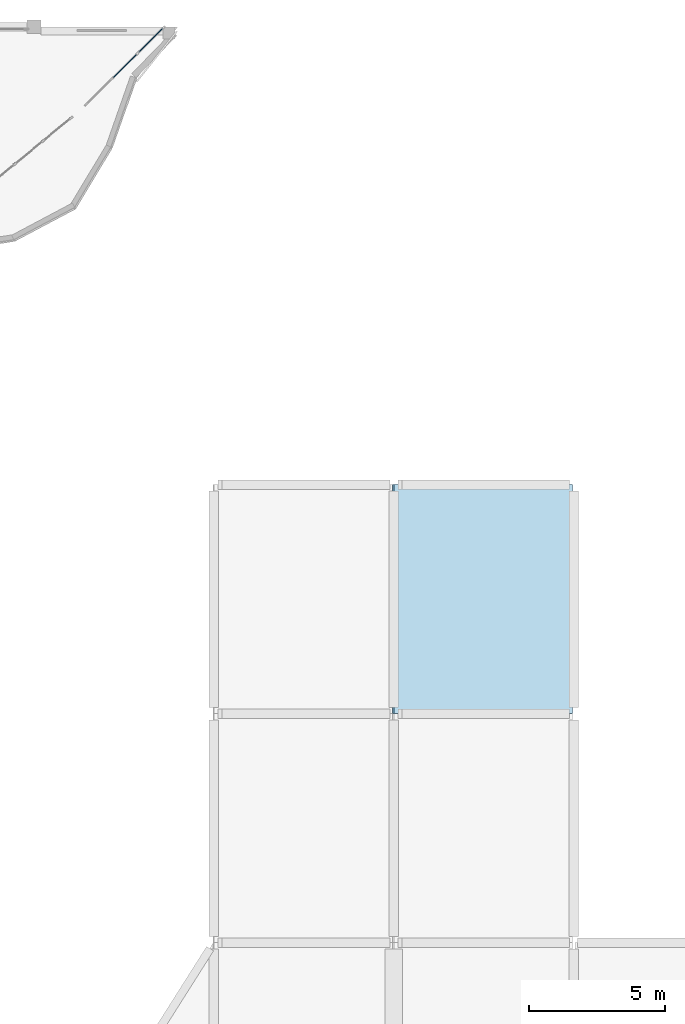
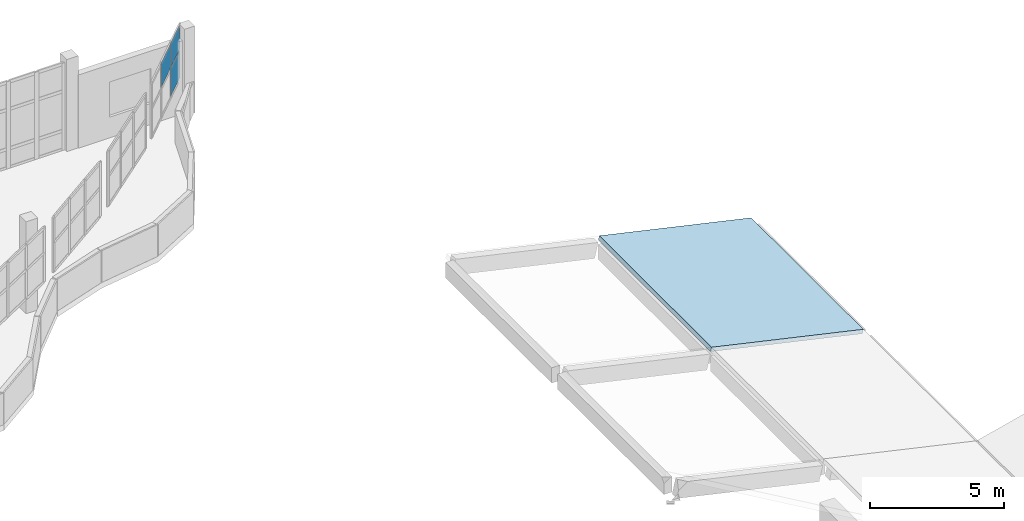
# One storey, part 33 of 47: 3 plates, 1 slab, 1 element without a shape of its own.
"""IFC4 building model written with IfcOpenShell, lengths in metres."""

import ifcopenshell
import ifcopenshell.guid

model = None  # the IFC model being written
_history = None  # IfcOwnerHistory: only IFC2X3 demands one
_inside = {}  # id of a spatial element -> (the spatial element, [elements in it])
_under = {}  # id of a project, library or spatial element -> (it, [spatial elements below it])
_declared = {}  # id of a project -> (the project, [libraries it declares])
_typed = {}  # id of a type object -> (the type object, [elements of that type])
_made_of = {}  # id of a material, layer set ... -> (it, [elements and type objects made of it])


def new_model(schema):
    """Start an empty IFC model of exactly this schema.

    Asked for "IFC4X3", IfcOpenShell would pick the latest addendum, in which some entities
    have other attributes; the version numbers below select the first issue.
    IFC2X3 requires an IfcOwnerHistory on every rooted entity: one is made here for all.
    """
    global model, _history
    if schema == "IFC4X3":
        model = ifcopenshell.file(schema_version=(4, 3, 0, 0))
    else:
        model = ifcopenshell.file(schema=schema)
    _inside.clear()
    _under.clear()
    _declared.clear()
    _typed.clear()
    _made_of.clear()
    _history = None
    if model.schema == "IFC2X3":
        org = make("IfcOrganization", Name="unknown")
        user = make(
            "IfcPersonAndOrganization",
            ThePerson=make("IfcPerson", FamilyName="unknown"),
            TheOrganization=org,
        )
        app = make(
            "IfcApplication",
            ApplicationDeveloper=org,
            Version="unknown",
            ApplicationFullName="unknown",
            ApplicationIdentifier="unknown",
        )
        _history = make(
            "IfcOwnerHistory",
            OwningUser=user,
            OwningApplication=app,
            ChangeAction="ADDED",
            CreationDate=0,
        )
    return model


def make(cls, **values):
    """One entity of the class cls with the attributes given. An attribute that is None is left unset."""
    return model.create_entity(
        cls, **{name: value for name, value in values.items() if value is not None}
    )


def rooted(cls, **values):
    """An entity with a GlobalId (a new one), such as an element, a storey or a relation."""
    return make(cls, GlobalId=ifcopenshell.guid.new(), OwnerHistory=_history, **values)


def si_unit(unit_type, name, prefix=None):
    """IfcSIUnit, for example si_unit("LENGTHUNIT", "METRE", prefix="MILLI")."""
    return make("IfcSIUnit", UnitType=unit_type, Prefix=prefix, Name=name)


def assignment(units):
    """IfcUnitAssignment: the units of a project."""
    return None if units is None else make("IfcUnitAssignment", Units=units)


def point(xyz):
    """IfcCartesianPoint."""
    return None if xyz is None else make("IfcCartesianPoint", Coordinates=xyz)


def direction(xyz):
    """IfcDirection."""
    return None if xyz is None else make("IfcDirection", DirectionRatios=xyz)


def frame(location, z_axis=None, x_axis=None):
    """IfcAxis2Placement3D, a coordinate frame: its origin and axes. An axis left out is left unset."""
    return make(
        "IfcAxis2Placement3D",
        Location=point(location),
        Axis=direction(z_axis),
        RefDirection=direction(x_axis),
    )


def frame_2d(location, x_axis=None):
    """IfcAxis2Placement2D, a coordinate frame in the plane: its origin and x axis."""
    return make(
        "IfcAxis2Placement2D", Location=point(location), RefDirection=direction(x_axis)
    )


def origin():
    """The frame at (0, 0, 0) with its axes left unset."""
    return frame((0.0, 0.0, 0.0))


def origin_2d():
    """The frame at (0, 0) in the plane with its x axis left unset."""
    return frame_2d((0.0, 0.0))


def place(relative_to, where):
    """IfcLocalPlacement: puts the frame where relative to a parent placement (None: the world)."""
    return make(
        "IfcLocalPlacement", PlacementRelTo=relative_to, RelativePlacement=where
    )


def context(
    kind, dimensions, precision=None, world=None, true_north=None, identifier=None
):
    """IfcGeometricRepresentationContext, for example the 3D "Model" context."""
    return make(
        "IfcGeometricRepresentationContext",
        ContextIdentifier=identifier,
        ContextType=kind,
        CoordinateSpaceDimension=dimensions,
        Precision=precision,
        WorldCoordinateSystem=world,
        TrueNorth=true_north,
    )


def subcontext(parent, identifier, kind, view, scale=None):
    """IfcGeometricRepresentationSubContext, for example "Body" below "Model"."""
    return make(
        "IfcGeometricRepresentationSubContext",
        ContextIdentifier=identifier,
        ContextType=kind,
        ParentContext=parent,
        TargetScale=scale,
        TargetView=view,
    )


def project(units=None, contexts=None):
    """IfcProject with its units and contexts."""
    return rooted(
        "IfcProject",
        Name="project",
        RepresentationContexts=contexts,
        UnitsInContext=assignment(units),
    )


def spatial(cls, under=None, at=None, **own):
    """A site, building, storey or space (cls), placed at a placement, below another one or the project."""
    s = rooted(cls, ObjectPlacement=at, **own)
    if under is not None:
        _under.setdefault(under.id(), (under, []))[1].append(s)
    return s


def polyline(points):
    """IfcPolyline through the points."""
    return make("IfcPolyline", Points=[point(p) for p in points])


def profile(cls, at=None, kind="AREA", **sizes):
    """A parametric profile (cls). Its sizes go by their IFC names, for example OverallWidth=200.0."""
    return make(cls, ProfileType=kind, Position=at, **sizes)


def rectangle(**sizes):
    """IfcRectangleProfileDef."""
    return profile("IfcRectangleProfileDef", **sizes)


def outline(outer, holes=None, kind="AREA"):
    """IfcArbitraryClosedProfileDef: a profile drawn as a closed curve; with holes, ...WithVoids."""
    if holes is None:
        return make("IfcArbitraryClosedProfileDef", ProfileType=kind, OuterCurve=outer)
    return make(
        "IfcArbitraryProfileDefWithVoids",
        ProfileType=kind,
        OuterCurve=outer,
        InnerCurves=holes,
    )


def extrude(swept, where, along, depth):
    """IfcExtrudedAreaSolid: the profile swept, set in the frame where, extruded along a direction by depth."""
    return make(
        "IfcExtrudedAreaSolid",
        SweptArea=swept,
        Position=where,
        ExtrudedDirection=direction(along),
        Depth=depth,
    )


def shape(context_of_items, identifier, shape_type, items):
    """IfcShapeRepresentation: the items that make up one representation, for example the "Body"."""
    return make(
        "IfcShapeRepresentation",
        ContextOfItems=context_of_items,
        RepresentationIdentifier=identifier,
        RepresentationType=shape_type,
        Items=items,
    )


def material(Name=None, Category=None):
    """IfcMaterial."""
    return make("IfcMaterial", Name=Name, Category=Category)


def layer(
    of_material, thickness, ventilated=None, Name=None, Category=None, Priority=None
):
    """IfcMaterialLayer: one layer of a wall or slab, of a material (None: an air gap)."""
    return make(
        "IfcMaterialLayer",
        Material=of_material,
        LayerThickness=thickness,
        IsVentilated=ventilated,
        Name=Name,
        Category=Category,
        Priority=Priority,
    )


def layer_set(layers, Name=None):
    """IfcMaterialLayerSet."""
    return make("IfcMaterialLayerSet", MaterialLayers=layers, LayerSetName=Name)


def made_of(thing, what):
    """Note that an element or type object is made of a material, layer set ...; save() writes the relation."""
    if what is not None:
        _made_of.setdefault(what.id(), (what, []))[1].append(thing)
    return thing


def type_object(cls, material=None, **own):
    """A type object (cls), such as IfcWallType, which elements share."""
    return made_of(rooted(cls, **own), material)


def element(
    cls,
    number,
    at=None,
    inside=None,
    cuts=None,
    type_object=None,
    material=None,
    context=None,
    identifier="Body",
    shape_type=None,
    held_by="IfcProductDefinitionShape",
    body=None,
    shapes=None,
    **own,
):
    """One element of the class cls, such as IfcWall. Its Tag is "e" and its number.

    at: its placement. inside: the storey or other place that contains it. cuts: it is an
    opening in that element (IfcRelVoidsElement). A single representation is given by context,
    identifier, shape_type and body (its items); several are given by shapes. held_by: the class
    of the entity that holds the representations. save() writes the other relations.
    """
    e = rooted(cls, Tag="e%d" % number, ObjectPlacement=at, **own)
    if body is not None:
        shapes = [shape(context, identifier, shape_type, body)]
    if shapes is not None:
        e.Representation = make(held_by, Representations=shapes)
    if inside is not None:
        _inside.setdefault(inside.id(), (inside, []))[1].append(e)
    if cuts is not None:
        rooted(
            "IfcRelVoidsElement", RelatingBuildingElement=cuts, RelatedOpeningElement=e
        )
    if type_object is not None:
        _typed.setdefault(type_object.id(), (type_object, []))[1].append(e)
    return made_of(e, material)


def aggregate(whole, parts):
    """IfcRelAggregates: a whole, such as a stair, and the parts it consists of."""
    return rooted("IfcRelAggregates", RelatingObject=whole, RelatedObjects=parts)


def save(model, path):
    """Write the relations noted so far, then the file.

    IfcRelAggregates (storeys below a building ...), IfcRelContainedInSpatialStructure (elements
    in a storey), IfcRelDefinesByType, IfcRelAssociatesMaterial and IfcRelDeclares: one each for
    every whole, place, type object, material and project.
    """
    for whole, parts in _under.values():
        aggregate(whole, parts)
    for where, things in _inside.values():
        rooted(
            "IfcRelContainedInSpatialStructure",
            RelatedElements=things,
            RelatingStructure=where,
        )
    for kind, things in _typed.values():
        rooted("IfcRelDefinesByType", RelatedObjects=things, RelatingType=kind)
    for what, things in _made_of.values():
        rooted("IfcRelAssociatesMaterial", RelatedObjects=things, RelatingMaterial=what)
    for by, libraries in _declared.values():
        rooted("IfcRelDeclares", RelatingContext=by, RelatedDefinitions=libraries)
    model.write(path)


model = new_model("IFC4")

# Units and contexts
model_context = context("Model", 3, precision=1e-05, world=origin(), true_north=direction((0.0, 1.0)))
body_context = subcontext(model_context, "Body", "Model", "MODEL_VIEW")
ifc_project = project(units=[si_unit("LENGTHUNIT", "METRE"), si_unit("AREAUNIT", "SQUARE_METRE"), si_unit("VOLUMEUNIT", "CUBIC_METRE"), si_unit("PLANEANGLEUNIT", "RADIAN"), si_unit("MASSUNIT", "GRAM", prefix="KILO")], contexts=[model_context])

# Site, building, storey
site_placement = place(None, origin())
site = spatial("IfcSite", under=ifc_project, at=site_placement, CompositionType="ELEMENT")
building_placement = place(site_placement, origin())
building = spatial("IfcBuilding", under=site, at=building_placement, Name="Qaldarim Faculty of Natural and Applied Sciences", CompositionType="ELEMENT")
storey_placement = place(building_placement, frame((0.0, 0.0, 22.800048828125)))
storey = spatial("IfcBuildingStorey", under=building, at=storey_placement, Name="L05", CompositionType="ELEMENT", Elevation=22.800048828125)

# Slab
ifc_material_1 = material(Name="Concrete C40/50", Category="concrete")
ifc_layer_1 = layer(ifc_material_1, 0.18994140625)
ifc_layer_set_1 = layer_set([ifc_layer_1], Name="Concrete C40/50")
slab_type = type_object("IfcSlabType", Name="CommonsFoldedRoofSlab-190", PredefinedType="ROOF", material=ifc_layer_set_1)
slab_placement = place(storey_placement, frame((158.358154296875, 92.39990234375, 1.299560546875), z_axis=(0.219486275665, 0.0, 0.975615587614), x_axis=(0.975615587614, 0.0, -0.219486275665)))
element("IfcSlab", 1, at=slab_placement, inside=storey, type_object=slab_type, Name="Learning Commons folded butterfly roof panel X25Y12", PredefinedType="ROOF", context=body_context, shape_type="SweptSolid", body=[
    extrude(outline(polyline([(0.0, 0.0), (6.724019867083356, 0.0), (6.724019867083356, 8.400146484375), (0.0, 8.400146484375), (0.0, 0.0)])), origin(), (0.0, 0.0, 1.0), 0.18994140625),
])

# Curtain wall, plates
ifc_material_2 = material(Name="Anodised aluminium AW-6063", Category="aluminium")
curtain_wall_type = type_object("IfcCurtainWallType", Name="CurtainWallSystem-M1400", PredefinedType="USERDEFINED", material=ifc_material_2)
curtain_wall_placement = place(storey_placement, origin())
curtain_wall = element("IfcCurtainWall", 2, at=curtain_wall_placement, inside=storey, type_object=curtain_wall_type, Name="Curtain wall CW-V4ARC-L05-16", ObjectType="STICK CURTAIN WALL", PredefinedType="USERDEFINED")
ifc_material_3 = material(Name="Insulated low-e double glazing", Category="glass")
ifc_layer_2 = layer(ifc_material_3, 0.028076171875)
ifc_layer_set_2 = layer_set([ifc_layer_2], Name="Insulated low-e double glazing")
plate_type = type_object("IfcPlateType", Name="VisionGlazingPanel-28", PredefinedType="CURTAIN_PANEL", material=ifc_layer_set_2)
plate_1_placement = place(storey_placement, frame((148.532470703125, 116.1650390625, 2.830078125), z_axis=(0.0, 0.0, 1.0), x_axis=(0.710185375623, 0.704014724456, 0.0)))
plate_1 = element("IfcPlate", 3, at=plate_1_placement, type_object=plate_type, Name="Glazed panel 2-2 of CW-V4ARC-L05-16", PredefinedType="CURTAIN_PANEL", context=body_context, shape_type="SweptSolid", body=[
    extrude(rectangle(XDim=1.289306640625, YDim=0.028076171875, at=origin_2d()), origin(), (0.0, 0.0, 1.0), 1.070068359375),
])
plate_2_placement = place(storey_placement, frame((149.480224609375, 117.1044921875, 1.509765625), z_axis=(0.0, 0.0, 1.0), x_axis=(0.710185375623, 0.704014724456, 0.0)))
plate_2 = element("IfcPlate", 4, at=plate_2_placement, type_object=plate_type, Name="Glazed panel 3-1 of CW-V4ARC-L05-16", PredefinedType="CURTAIN_PANEL", context=body_context, shape_type="SweptSolid", body=[
    extrude(rectangle(XDim=1.259521484375, YDim=0.028076171875, at=origin_2d()), origin(), (0.0, 0.0, 1.0), 1.260009765625),
])
plate_3_placement = place(storey_placement, frame((149.480224609375, 117.1044921875, 2.830078125), z_axis=(0.0, 0.0, 1.0), x_axis=(0.710185375623, 0.704014724456, 0.0)))
plate_3 = element("IfcPlate", 5, at=plate_3_placement, type_object=plate_type, Name="Glazed panel 3-2 of CW-V4ARC-L05-16", PredefinedType="CURTAIN_PANEL", context=body_context, shape_type="SweptSolid", body=[
    extrude(rectangle(XDim=1.259521484375, YDim=0.028076171875, at=origin_2d()), origin(), (0.0, 0.0, 1.0), 1.070068359375),
])
aggregate(curtain_wall, [plate_1, plate_2, plate_3])

save(model, "model.ifc")
